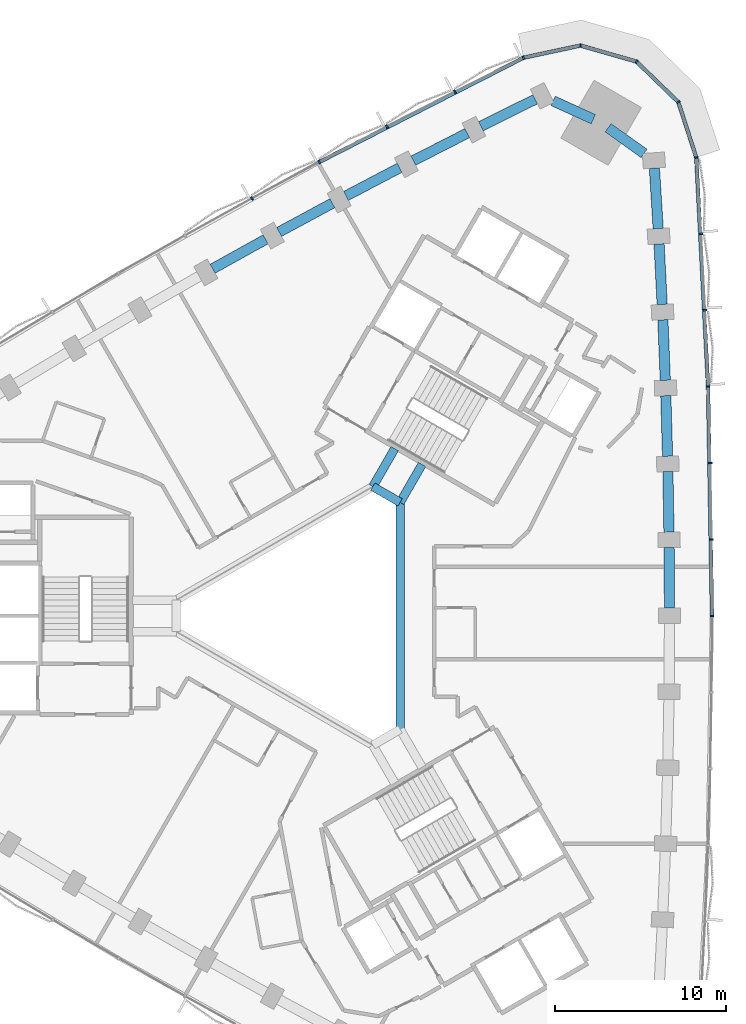
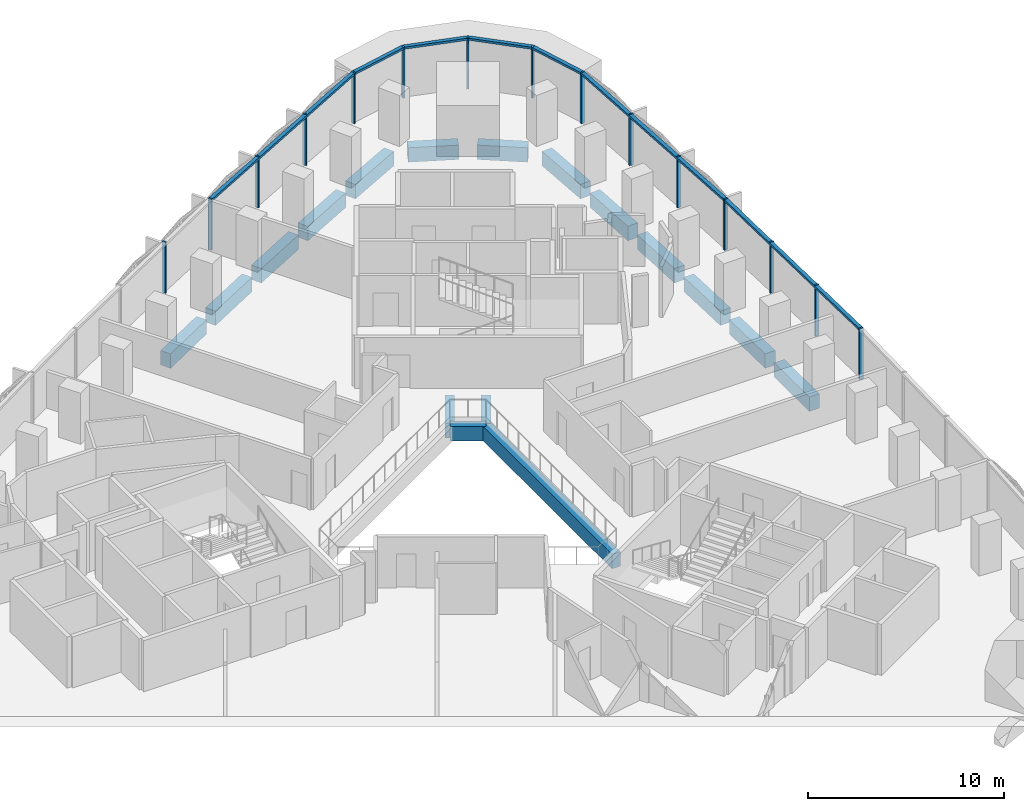
# One storey, part 5 of 15: 22 members, 17 beams, 2 elements without a shape of their own.
"""IFC4 building model written with IfcOpenShell, lengths in metres."""

from ifc_helpers import new_model, si_unit, direction, frame, origin, origin_2d, place, context, subcontext, project, spatial, rectangle, extrude, material, material_profile, profile_set, type_object, element, aggregate, save


model = new_model("IFC4")

# Units and contexts
model_context = context("Model", 3, precision=1e-05, world=origin(), true_north=direction((0.0, 1.0)))
body_context = subcontext(model_context, "Body", "Model", "MODEL_VIEW")
ifc_project = project(units=[si_unit("LENGTHUNIT", "METRE"), si_unit("AREAUNIT", "SQUARE_METRE"), si_unit("VOLUMEUNIT", "CUBIC_METRE"), si_unit("PLANEANGLEUNIT", "RADIAN"), si_unit("MASSUNIT", "GRAM", prefix="KILO")], contexts=[model_context])

# Site, building, storey
site_placement = place(None, origin())
site = spatial("IfcSite", under=ifc_project, at=site_placement, CompositionType="ELEMENT")
building_placement = place(site_placement, origin())
building = spatial("IfcBuilding", under=site, at=building_placement, Name="Tamra Quay Hotel Tower", CompositionType="ELEMENT")
storey_placement = place(building_placement, frame((0.0, 0.0, 97.39990234375)))
storey = spatial("IfcBuildingStorey", under=building, at=storey_placement, Name="L23", CompositionType="ELEMENT", Elevation=97.39990234375)

# Beams
ifc_material_1 = material(Name="Concrete M60", Category="concrete")
ifc_material_profile_1 = material_profile(ifc_material_1, rectangle(XDim=0.5, YDim=0.89990234375, at=origin_2d()), Name="ATRIUM EDGE BEAM RC 500x900")
ifc_profile_set_1 = profile_set([ifc_material_profile_1], Name="Concrete M60")
beam_type_1 = type_object("IfcBeamType", Name="ATRIUM EDGE BEAM RC 500x900", PredefinedType="BEAM", material=ifc_profile_set_1)
beam_1_placement = place(storey_placement, frame((4.89990234375, 6.639404296875, -0.875), z_axis=(0.0, -1.0, 0.0), x_axis=(1.0, 0.0, 0.0)))
element("IfcBeam", 1, at=beam_1_placement, inside=storey, type_object=beam_type_1, Name="BM-AB0-L23", PredefinedType="BEAM", context=body_context, shape_type="SweptSolid", body=[
    extrude(rectangle(XDim=0.5, YDim=0.89990234375, at=origin_2d()), origin(), (0.0, 0.0, 1.0), 13.27880859375),
])
beam_2_placement = place(storey_placement, frame((3.300048828125, 7.563232421875, -0.875), z_axis=(0.865989712182, -0.500061814573, 0.0), x_axis=(0.500061814573, 0.865989712182, 0.0)))
element("IfcBeam", 2, at=beam_2_placement, inside=storey, type_object=beam_type_1, Name="BM-AB5-L23", PredefinedType="BEAM", context=body_context, shape_type="SweptSolid", body=[
    extrude(rectangle(XDim=0.5, YDim=0.89990234375, at=origin_2d()), origin(), (0.0, 0.0, 1.0), 1.847412109375),
])
ifc_material_profile_2 = material_profile(ifc_material_1, rectangle(XDim=0.5, YDim=0.89990234375, at=origin_2d()), Name="ATRIUM TIE BEAM RC 500x900")
ifc_profile_set_2 = profile_set([ifc_material_profile_2], Name="Concrete M60")
beam_type_2 = type_object("IfcBeamType", Name="ATRIUM TIE BEAM RC 500x900", PredefinedType="BEAM", material=ifc_profile_set_2)
for number, where, z_axis, x_axis, name in (
    (3, (4.89990234375, 6.639404296875, -0.875), (0.50003311468, 0.866006284171, 0.0), (-0.866006284171, 0.50003311468, 0.0), "BM-TIE-0-L23"),
    (4, (3.300048828125, 7.563232421875, -0.875), (0.499961652204, 0.866047542763, 0.0), (-0.866047542763, 0.499961652204, 0.0), "BM-TIE-5-L23"),
):
    element("IfcBeam", number, at=place(storey_placement, frame(where, z_axis=z_axis, x_axis=x_axis)), inside=storey, type_object=beam_type_2, Name=name, PredefinedType="BEAM", context=body_context, shape_type="SweptSolid", body=[
        extrude(rectangle(XDim=0.5, YDim=0.89990234375, at=origin_2d()), origin(), (0.0, 0.0, 1.0), 2.562255859375),
    ])

# Curtain wall, members
ifc_material_2 = material(Name="Aluminium 6063 anodised dark grey", Category="aluminium")
curtain_wall_type_1 = type_object("IfcCurtainWallType", Name="CW1 CURTAIN WALL", PredefinedType="NOTDEFINED", material=ifc_material_2)
curtain_wall_1_placement = place(storey_placement, origin())
curtain_wall_1 = element("IfcCurtainWall", 5, at=curtain_wall_1_placement, inside=storey, type_object=curtain_wall_type_1, Name="CW1 east face L23", PredefinedType="NOTDEFINED")
ifc_material_profile_3 = material_profile(ifc_material_2, rectangle(XDim=0.219970703125, YDim=0.10009765625, at=origin_2d()), Name="MULLION 100X220")
ifc_profile_set_3 = profile_set([ifc_material_profile_3], Name="Aluminium 6063 anodised dark grey")
member_type_1 = type_object("IfcMemberType", Name="MULLION CW1 Z2", PredefinedType="MULLION", material=ifc_profile_set_3)
member_1_placement = place(storey_placement, frame((23.144775390625, 0.0, 0.0), z_axis=(0.0, 0.0, 1.0), x_axis=(1.0, 0.0, 0.0)))
member_1 = element("IfcMember", 6, at=member_1_placement, type_object=member_type_1, Name="CW1 mullion L23.E.7", PredefinedType="MULLION", context=body_context, shape_type="SweptSolid", body=[
    extrude(rectangle(XDim=0.219970703125, YDim=0.10009765625, at=origin_2d()), origin(), (0.0, 0.0, 1.0), 3.175048828125),
])
member_2_placement = place(storey_placement, frame((23.119140625, 4.47314453125, 0.0), z_axis=(0.0, 0.0, 1.0), x_axis=(0.999934749621, 0.011423506449, 0.0)))
member_2 = element("IfcMember", 7, at=member_2_placement, type_object=member_type_1, Name="CW1 mullion L23.E.8", PredefinedType="MULLION", context=body_context, shape_type="SweptSolid", body=[
    extrude(rectangle(XDim=0.219970703125, YDim=0.10009765625, at=origin_2d()), origin(), (0.0, 0.0, 1.0), 3.175048828125),
])
member_3_placement = place(storey_placement, frame((23.04248046875, 8.94580078125, 0.0), z_axis=(0.0, 0.0, 1.0), x_axis=(0.99973912156, 0.022840508384, 0.0)))
member_3 = element("IfcMember", 8, at=member_3_placement, type_object=member_type_1, Name="CW1 mullion L23.E.9", PredefinedType="MULLION", context=body_context, shape_type="SweptSolid", body=[
    extrude(rectangle(XDim=0.219970703125, YDim=0.10009765625, at=origin_2d()), origin(), (0.0, 0.0, 1.0), 3.175048828125),
])
member_4_placement = place(storey_placement, frame((22.914794921875, 13.417236328125, 0.0), z_axis=(0.0, 0.0, 1.0), x_axis=(0.999413445306, 0.034245661637, 0.0)))
member_4 = element("IfcMember", 9, at=member_4_placement, type_object=member_type_1, Name="CW1 mullion L23.E.10", PredefinedType="MULLION", context=body_context, shape_type="SweptSolid", body=[
    extrude(rectangle(XDim=0.219970703125, YDim=0.10009765625, at=origin_2d()), origin(), (0.0, 0.0, 1.0), 3.175048828125),
])
member_5_placement = place(storey_placement, frame((22.736083984375, 17.886962890625, 0.0), z_axis=(0.0, 0.0, 1.0), x_axis=(0.998958269731, 0.045633050909, 0.0)))
member_5 = element("IfcMember", 10, at=member_5_placement, type_object=member_type_1, Name="CW1 mullion L23.E.11", PredefinedType="MULLION", context=body_context, shape_type="SweptSolid", body=[
    extrude(rectangle(XDim=0.219970703125, YDim=0.10009765625, at=origin_2d()), origin(), (0.0, 0.0, 1.0), 3.175048828125),
])
member_6_placement = place(storey_placement, frame((22.506591796875, 22.354248046875, 0.0), z_axis=(0.0, 0.0, 1.0), x_axis=(0.998374392587, 0.056996247479, 0.0)))
member_6 = element("IfcMember", 11, at=member_6_placement, type_object=member_type_1, Name="CW1 mullion L23.E.12", PredefinedType="MULLION", context=body_context, shape_type="SweptSolid", body=[
    extrude(rectangle(XDim=0.219970703125, YDim=0.10009765625, at=origin_2d()), origin(), (0.0, 0.0, 1.0), 3.175048828125),
])
member_7_placement = place(storey_placement, frame((22.226318359375, 26.81787109375, 0.0), z_axis=(0.0, 0.0, 1.0), x_axis=(0.982419091866, 0.186688853275, 0.0)))
member_7 = element("IfcMember", 12, at=member_7_placement, type_object=member_type_1, Name="CW1 mullion L23.E.13", PredefinedType="MULLION", context=body_context, shape_type="SweptSolid", body=[
    extrude(rectangle(XDim=0.219970703125, YDim=0.10009765625, at=origin_2d()), origin(), (0.0, 0.0, 1.0), 3.175048828125),
])
member_8_placement = place(storey_placement, frame((21.1767578125, 30.062255859375, 0.0), z_axis=(0.0, 0.0, 1.0), x_axis=(0.848503146373, 0.529190334941, 0.0)))
member_8 = element("IfcMember", 13, at=member_8_placement, type_object=member_type_1, Name="CW1 mullion L23.E.14", PredefinedType="MULLION", context=body_context, shape_type="SweptSolid", body=[
    extrude(rectangle(XDim=0.219970703125, YDim=0.10009765625, at=origin_2d()), origin(), (0.0, 0.0, 1.0), 3.175048828125),
])
member_9_placement = place(storey_placement, frame((18.724853515625, 32.43212890625, 0.0), z_axis=(0.0, 0.0, 1.0), x_axis=(0.5, 0.866025403784, 0.0)))
member_9 = element("IfcMember", 14, at=member_9_placement, type_object=member_type_1, Name="CW1 mullion L23.E.15", PredefinedType="MULLION", context=body_context, shape_type="SweptSolid", body=[
    extrude(rectangle(XDim=0.219970703125, YDim=0.10009765625, at=origin_2d()), origin(), (0.0, 0.0, 1.0), 3.175048828125),
])
member_10_placement = place(storey_placement, frame((15.4462890625, 33.370849609375, 0.0), z_axis=(0.0, 0.0, 1.0), x_axis=(0.03404070031, 0.999420447421, 0.0)))
member_10 = element("IfcMember", 15, at=member_10_placement, type_object=member_type_1, Name="CW1 mullion L23.E.16", PredefinedType="MULLION", context=body_context, shape_type="SweptSolid", body=[
    extrude(rectangle(XDim=0.219970703125, YDim=0.10009765625, at=origin_2d()), origin(), (0.0, 0.0, 1.0), 3.175048828125),
])

curtain_wall_type_2 = type_object("IfcCurtainWallType", Name="CW2 CURTAIN WALL", PredefinedType="NOTDEFINED", material=ifc_material_2)
curtain_wall_2_placement = place(storey_placement, origin())
curtain_wall_2 = element("IfcCurtainWall", 16, at=curtain_wall_2_placement, inside=storey, type_object=curtain_wall_type_2, Name="CW2 north-west face L23", PredefinedType="NOTDEFINED")
ifc_material_profile_4 = material_profile(ifc_material_2, rectangle(XDim=0.219970703125, YDim=0.10009765625, at=origin_2d()), Name="MULLION 100X220")
ifc_profile_set_4 = profile_set([ifc_material_profile_4], Name="Aluminium 6063 anodised dark grey")
member_type_2 = type_object("IfcMemberType", Name="MULLION CW2 Z2", PredefinedType="MULLION", material=ifc_profile_set_4)
member_11_placement = place(storey_placement, frame((12.111572265625, 32.657470703125, 0.0), z_axis=(0.0, 0.0, 1.0), x_axis=(-0.329532256394, 0.944144317356, 0.0)))
member_11 = element("IfcMember", 17, at=member_11_placement, type_object=member_type_2, Name="CW2 mullion L23.NW.1", PredefinedType="MULLION", context=body_context, shape_type="SweptSolid", body=[
    extrude(rectangle(XDim=0.219970703125, YDim=0.10009765625, at=origin_2d()), origin(), (0.0, 0.0, 1.0), 3.175048828125),
])
member_12_placement = place(storey_placement, frame((8.10595703125, 30.66845703125, 0.0), z_axis=(0.0, 0.0, 1.0), x_axis=(-0.449826998056, 0.893115710208, 0.0)))
member_12 = element("IfcMember", 18, at=member_12_placement, type_object=member_type_2, Name="CW2 mullion L23.NW.2", PredefinedType="MULLION", context=body_context, shape_type="SweptSolid", body=[
    extrude(rectangle(XDim=0.219970703125, YDim=0.10009765625, at=origin_2d()), origin(), (0.0, 0.0, 1.0), 3.175048828125),
])
member_13_placement = place(storey_placement, frame((4.122314453125, 28.633544921875, 0.0), z_axis=(0.0, 0.0, 1.0), x_axis=(-0.459959753526, 0.887939764362, 0.0)))
member_13 = element("IfcMember", 19, at=member_13_placement, type_object=member_type_2, Name="CW2 mullion L23.NW.3", PredefinedType="MULLION", context=body_context, shape_type="SweptSolid", body=[
    extrude(rectangle(XDim=0.219970703125, YDim=0.10009765625, at=origin_2d()), origin(), (0.0, 0.0, 1.0), 3.175048828125),
])
member_14_placement = place(storey_placement, frame((0.162109375, 26.553466796875, 0.0), z_axis=(0.0, 0.0, 1.0), x_axis=(-0.470049109706, 0.882640263337, 0.0)))
member_14 = element("IfcMember", 20, at=member_14_placement, type_object=member_type_2, Name="CW2 mullion L23.NW.4", PredefinedType="MULLION", context=body_context, shape_type="SweptSolid", body=[
    extrude(rectangle(XDim=0.219970703125, YDim=0.10009765625, at=origin_2d()), origin(), (0.0, 0.0, 1.0), 3.175048828125),
])
member_15_placement = place(storey_placement, frame((-3.77392578125, 24.42822265625, 0.0), z_axis=(0.0, 0.0, 1.0), x_axis=(-0.480089100284, 0.87721973062, 0.0)))
member_15 = element("IfcMember", 21, at=member_15_placement, type_object=member_type_2, Name="CW2 mullion L23.NW.5", PredefinedType="MULLION", context=body_context, shape_type="SweptSolid", body=[
    extrude(rectangle(XDim=0.219970703125, YDim=0.10009765625, at=origin_2d()), origin(), (0.0, 0.0, 1.0), 3.175048828125),
])

# Beams
ifc_material_profile_5 = material_profile(ifc_material_1, rectangle(XDim=0.60009765625, YDim=0.89990234375, at=origin_2d()), Name="SPANDREL BEAM RC 600x900")
ifc_profile_set_5 = profile_set([ifc_material_profile_5], Name="Concrete M60")
beam_type_3 = type_object("IfcBeamType", Name="SPANDREL BEAM RC 600x900", PredefinedType="SPANDREL", material=ifc_profile_set_5)
beam_3_placement = place(storey_placement, frame((20.656494140625, 0.449951171875, -0.875), z_axis=(-0.005716160055, 0.999983662624, 0.0), x_axis=(-0.999983662624, -0.005716160055, 0.0)))
element("IfcBeam", 22, at=beam_3_placement, inside=storey, type_object=beam_type_3, Name="BM-SP2-006-L23", PredefinedType="SPANDREL", context=body_context, shape_type="SweptSolid", body=[
    extrude(rectangle(XDim=0.60009765625, YDim=0.89990234375, at=origin_2d()), origin(), (0.0, 0.0, 1.0), 3.544921875),
])
beam_4_placement = place(storey_placement, frame((20.6259765625, 4.894775390625, -0.875), z_axis=(-0.017149781635, 0.99985293168, 0.0), x_axis=(-0.99985293168, -0.017149781635, 0.0)))
element("IfcBeam", 23, at=beam_4_placement, inside=storey, type_object=beam_type_3, Name="BM-SP2-007-L23", PredefinedType="SPANDREL", context=body_context, shape_type="SweptSolid", body=[
    extrude(rectangle(XDim=0.60009765625, YDim=0.89990234375, at=origin_2d()), origin(), (0.0, 0.0, 1.0), 3.544677734375),
])
for number, where, z_axis, x_axis, name in (
    (24, (20.544677734375, 9.338623046875, -0.875), (-0.02858140136, 0.999591468299, 0.0), (-0.999591468299, -0.02858140136, 0.0), "BM-SP2-008-L23"),
    (25, (20.41259765625, 13.781494140625, -0.875), (-0.039946034354, 0.999201838639, 0.0), (-0.999201838639, -0.039946034354, 0.0), "BM-SP2-009-L23"),
):
    element("IfcBeam", number, at=place(storey_placement, frame(where, z_axis=z_axis, x_axis=x_axis)), inside=storey, type_object=beam_type_3, Name=name, PredefinedType="SPANDREL", context=body_context, shape_type="SweptSolid", body=[
        extrude(rectangle(XDim=0.60009765625, YDim=0.89990234375, at=origin_2d()), origin(), (0.0, 0.0, 1.0), 3.544921875),
    ])
beam_5_placement = place(storey_placement, frame((20.22998046875, 18.22265625, -0.875), z_axis=(-0.051311627905, 0.998682690769, 0.0), x_axis=(-0.998682690769, -0.051311627905, 0.0)))
element("IfcBeam", 26, at=beam_5_placement, inside=storey, type_object=beam_type_3, Name="BM-SP2-010-L23", PredefinedType="SPANDREL", context=body_context, shape_type="SweptSolid", body=[
    extrude(rectangle(XDim=0.60009765625, YDim=0.89990234375, at=origin_2d()), origin(), (0.0, 0.0, 1.0), 3.544677734375),
])
beam_6_placement = place(storey_placement, frame((19.99658203125, 22.661376953125, -0.875), z_axis=(-0.062669833409, 0.99803431403, 0.0), x_axis=(-0.99803431403, -0.062669833409, 0.0)))
element("IfcBeam", 27, at=beam_6_placement, inside=storey, type_object=beam_type_3, Name="BM-SP2-011-L23", PredefinedType="SPANDREL", context=body_context, shape_type="SweptSolid", body=[
    extrude(rectangle(XDim=0.60009765625, YDim=0.89990234375, at=origin_2d()), origin(), (0.0, 0.0, 1.0), 3.545166015625),
])
for number, where, z_axis, x_axis, name in (
    (28, (19.168701171875, 27.060302734375, -0.875), (-0.814339289036, 0.580389112865, 0.0), (-0.580389112865, -0.814339289036, 0.0), "BM-SP2-012-L23"),
    (29, (16.202392578125, 29.057861328125, -0.875), (-0.909819048293, 0.415005179923, 0.0), (-0.415005179923, -0.909819048293, 0.0), "BM-SP2-013-L23"),
):
    element("IfcBeam", number, at=place(storey_placement, frame(where, z_axis=z_axis, x_axis=x_axis)), inside=storey, type_object=beam_type_3, Name=name, PredefinedType="SPANDREL", context=body_context, shape_type="SweptSolid", body=[
        extrude(rectangle(XDim=0.60009765625, YDim=0.89990234375, at=origin_2d()), origin(), (0.0, 0.0, 1.0), 2.5849609375),
    ])
beam_7_placement = place(storey_placement, frame((12.802001953125, 30.22509765625, -0.875), z_axis=(-0.895622275285, -0.444815399928, 0.0), x_axis=(0.444815399928, -0.895622275285, 0.0)))
element("IfcBeam", 30, at=beam_7_placement, inside=storey, type_object=beam_type_3, Name="BM-SP2-014-L23", PredefinedType="SPANDREL", context=body_context, shape_type="SweptSolid", body=[
    extrude(rectangle(XDim=0.60009765625, YDim=0.89990234375, at=origin_2d()), origin(), (0.0, 0.0, 1.0), 3.545166015625),
])
beam_8_placement = place(storey_placement, frame((8.8232421875, 28.243408203125, -0.875), z_axis=(-0.890551251107, -0.45488291807, 0.0), x_axis=(0.45488291807, -0.890551251107, 0.0)))
element("IfcBeam", 31, at=beam_8_placement, inside=storey, type_object=beam_type_3, Name="BM-SP2-015-L23", PredefinedType="SPANDREL", context=body_context, shape_type="SweptSolid", body=[
    extrude(rectangle(XDim=0.60009765625, YDim=0.89990234375, at=origin_2d()), origin(), (0.0, 0.0, 1.0), 3.544921875),
])
beam_9_placement = place(storey_placement, frame((4.8671875, 26.216796875, -0.875), z_axis=(-0.885322773021, -0.464976975312, 0.0), x_axis=(0.464976975312, -0.885322773021, 0.0)))
element("IfcBeam", 32, at=beam_9_placement, inside=storey, type_object=beam_type_3, Name="BM-SP2-016-L23", PredefinedType="SPANDREL", context=body_context, shape_type="SweptSolid", body=[
    extrude(rectangle(XDim=0.60009765625, YDim=0.89990234375, at=origin_2d()), origin(), (0.0, 0.0, 1.0), 3.544677734375),
])
for number, where, z_axis, x_axis, name in (
    (33, (0.9345703125, 24.1455078125, -0.875), (-0.879950887438, -0.475064664753, 0.0), (0.475064664753, -0.879950887438, 0.0), "BM-SP2-017-L23"),
    (34, (-2.97412109375, 22.029296875, -0.875), (-0.874475461638, -0.48506975477, 0.0), (0.48506975477, -0.874475461638, 0.0), "BM-SP2-018-L23"),
):
    element("IfcBeam", number, at=place(storey_placement, frame(where, z_axis=z_axis, x_axis=x_axis)), inside=storey, type_object=beam_type_3, Name=name, PredefinedType="SPANDREL", context=body_context, shape_type="SweptSolid", body=[
        extrude(rectangle(XDim=0.60009765625, YDim=0.89990234375, at=origin_2d()), origin(), (0.0, 0.0, 1.0), 3.544921875),
    ])

# Member
ifc_material_profile_6 = material_profile(ifc_material_2, rectangle(XDim=0.219970703125, YDim=0.139892578125, at=origin_2d()), Name="TRANSOM 220X140")
ifc_profile_set_6 = profile_set([ifc_material_profile_6], Name="Aluminium 6063 anodised dark grey")
member_type_3 = type_object("IfcMemberType", Name="TRANSOM CW1 Z2", PredefinedType="USERDEFINED", material=ifc_profile_set_6)
member_16_placement = place(storey_placement, frame((23.14453125, 0.050048828125, 3.10498046875), z_axis=(-0.017138663343, 0.999853122323, 0.0), x_axis=(-0.999853122323, -0.017138663343, 0.0)))
member_16 = element("IfcMember", 35, at=member_16_placement, type_object=member_type_3, Name="CW1 transom L23.E.7", ObjectType="TRANSOM", PredefinedType="USERDEFINED", context=body_context, shape_type="SweptSolid", body=[
    extrude(rectangle(XDim=0.219970703125, YDim=0.139892578125, at=origin_2d()), origin(), (0.0, 0.0, 1.0), 13.319091796875),
])

member_17_placement = place(storey_placement, frame((22.912841796875, 13.46728515625, 3.10498046875), z_axis=(-0.051309919366, 0.998682778551, 0.0), x_axis=(-0.998682778551, -0.051309919366, 0.0)))
member_17 = element("IfcMember", 36, at=member_17_placement, type_object=member_type_3, Name="CW1 transom L23.E.10", ObjectType="TRANSOM", PredefinedType="USERDEFINED", context=body_context, shape_type="SweptSolid", body=[
    extrude(rectangle(XDim=0.219970703125, YDim=0.139892578125, at=origin_2d()), origin(), (0.0, 0.0, 1.0), 13.318115234375),
])

member_18_placement = place(storey_placement, frame((22.2109375, 26.865234375, 3.10498046875), z_axis=(-0.307784937637, 0.951455953875, 0.0), x_axis=(-0.951455953875, -0.307784937637, 0.0)))
member_18 = element("IfcMember", 37, at=member_18_placement, type_object=member_type_3, Name="CW1 transom L23.E.13", ObjectType="TRANSOM", PredefinedType="USERDEFINED", context=body_context, shape_type="SweptSolid", body=[
    extrude(rectangle(XDim=0.219970703125, YDim=0.139892578125, at=origin_2d()), origin(), (0.0, 0.0, 1.0), 3.31005859375),
])

member_19_placement = place(storey_placement, frame((21.140869140625, 30.09716796875, 3.10498046875), z_axis=(-0.719063315741, 0.694944564664, 0.0), x_axis=(-0.694944564664, -0.719063315741, 0.0)))
member_19 = element("IfcMember", 38, at=member_19_placement, type_object=member_type_3, Name="CW1 transom L23.E.14", ObjectType="TRANSOM", PredefinedType="USERDEFINED", context=body_context, shape_type="SweptSolid", body=[
    extrude(rectangle(XDim=0.219970703125, YDim=0.139892578125, at=origin_2d()), origin(), (0.0, 0.0, 1.0), 3.31005859375),
])

member_20_placement = place(storey_placement, frame((18.6767578125, 32.446044921875, 3.10498046875), z_axis=(-0.961393028347, 0.275178932778, 0.0), x_axis=(-0.275178932778, -0.961393028347, 0.0)))
member_20 = element("IfcMember", 39, at=member_20_placement, type_object=member_type_3, Name="CW1 transom L23.E.15", ObjectType="TRANSOM", PredefinedType="USERDEFINED", context=body_context, shape_type="SweptSolid", body=[
    extrude(rectangle(XDim=0.219970703125, YDim=0.139892578125, at=origin_2d()), origin(), (0.0, 0.0, 1.0), 3.31005859375),
])

member_21_placement = place(storey_placement, frame((15.3974609375, 33.3603515625, 3.10498046875), z_axis=(-0.977877907042, -0.209176477928, 0.0), x_axis=(0.209176477928, -0.977877907042, 0.0)))
member_21 = element("IfcMember", 40, at=member_21_placement, type_object=member_type_3, Name="CW1 transom L23.E.16", ObjectType="TRANSOM", PredefinedType="USERDEFINED", context=body_context, shape_type="SweptSolid", body=[
    extrude(rectangle(XDim=0.219970703125, YDim=0.139892578125, at=origin_2d()), origin(), (0.0, 0.0, 1.0), 3.31005859375),
])

aggregate(curtain_wall_1, [member_1, member_16, member_2, member_3, member_4, member_17, member_5, member_6, member_7, member_18, member_8, member_19, member_9, member_20, member_10, member_21])

ifc_material_profile_7 = material_profile(ifc_material_2, rectangle(XDim=0.219970703125, YDim=0.139892578125, at=origin_2d()), Name="TRANSOM 220X140")
ifc_profile_set_7 = profile_set([ifc_material_profile_7], Name="Aluminium 6063 anodised dark grey")
member_type_4 = type_object("IfcMemberType", Name="TRANSOM CW2 Z2", PredefinedType="USERDEFINED", material=ifc_profile_set_7)
member_22_placement = place(storey_placement, frame((12.06689453125, 32.63525390625, 3.10498046875), z_axis=(-0.890537010915, -0.45491079586, 0.0), x_axis=(0.45491079586, -0.890537010915, 0.0)))
member_22 = element("IfcMember", 41, at=member_22_placement, type_object=member_type_4, Name="CW2 transom L23.NW.1", ObjectType="TRANSOM", PredefinedType="USERDEFINED", context=body_context, shape_type="SweptSolid", body=[
    extrude(rectangle(XDim=0.219970703125, YDim=0.139892578125, at=origin_2d()), origin(), (0.0, 0.0, 1.0), 13.318115234375),
])

aggregate(curtain_wall_2, [member_11, member_22, member_12, member_13, member_14, member_15])

save(model, "model.ifc")
